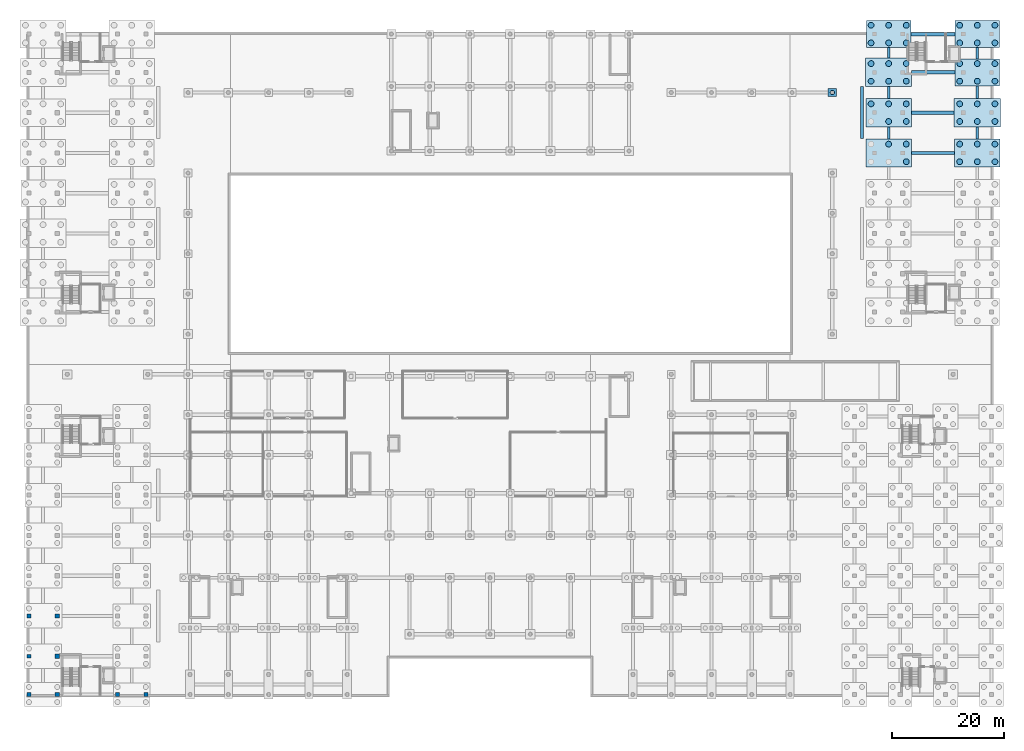
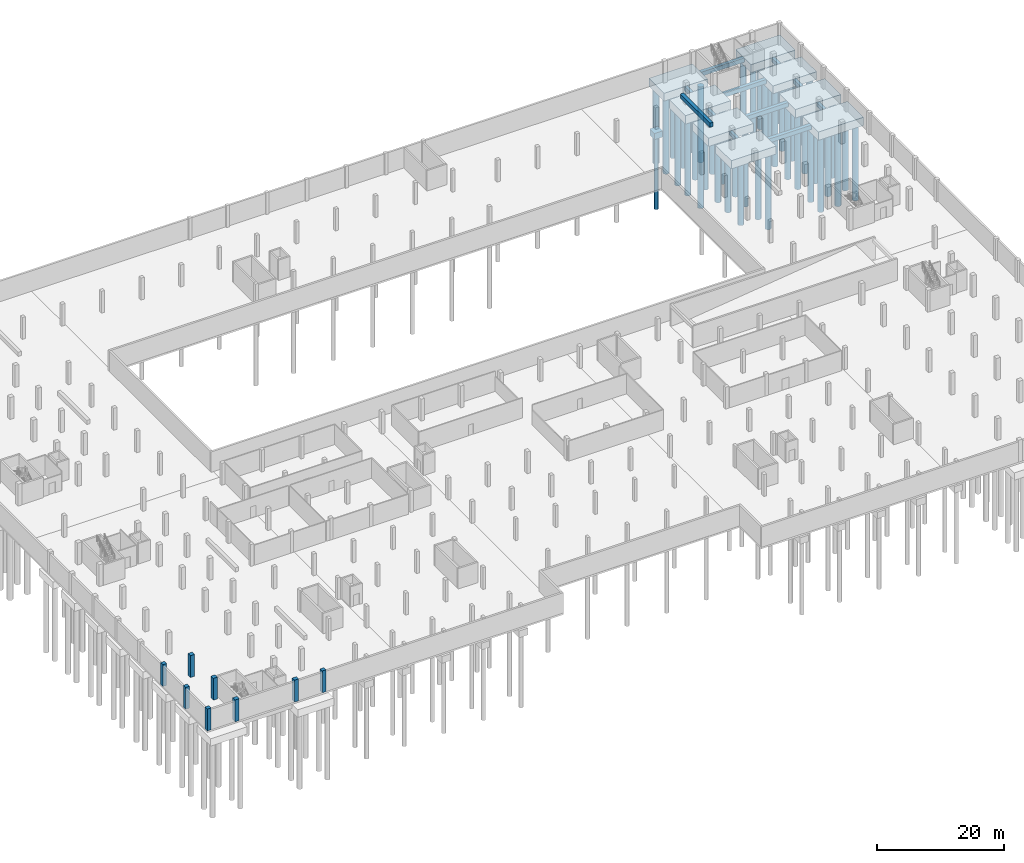
# One storey, part 13 of 36: 45 piles, 20 footings, 8 columns.
"""IFC4 building model written with IfcOpenShell, lengths in metres."""

from ifc_helpers import new_model, si_unit, derived_unit, direction, frame, origin, origin_2d, place, context, subcontext, project, spatial, polyline, rectangle, circle, outline, extrude, material, material_profile, profile_set, type_object, element, save


model = new_model("IFC4")

# Units and contexts
model_context = context("Model", 3, precision=1e-05, world=origin(), true_north=direction((0.0, 1.0)))
body_context = subcontext(model_context, "Body", "Model", "MODEL_VIEW")
ifc_project = project(units=[si_unit("LENGTHUNIT", "METRE"), si_unit("AREAUNIT", "SQUARE_METRE"), si_unit("VOLUMEUNIT", "CUBIC_METRE"), si_unit("PLANEANGLEUNIT", "RADIAN"), si_unit("MASSUNIT", "GRAM", prefix="KILO"), derived_unit("THERMALTRANSMITTANCEUNIT", [(si_unit("MASSUNIT", "GRAM", prefix="KILO"), 1), (si_unit("TIMEUNIT", "SECOND"), -3), (si_unit("THERMODYNAMICTEMPERATUREUNIT", "KELVIN"), -1)])], contexts=[model_context])

# Site, building, storey
site_placement = place(None, origin())
site = spatial("IfcSite", under=ifc_project, at=site_placement, CompositionType="ELEMENT")
building_placement = place(site_placement, origin())
building = spatial("IfcBuilding", under=site, at=building_placement, Name="Ochrekiln Boulevard Commons", CompositionType="ELEMENT")
storey_placement = place(building_placement, frame((0.0, 0.0, -4.199951171875)))
storey = spatial("IfcBuildingStorey", under=building, at=storey_placement, Name="B1", CompositionType="ELEMENT", Elevation=-4.199951171875)

# Footings
ifc_material_1 = material(Name="Concrete C35/45", Category="concrete")
footing_type_1 = type_object("IfcFootingType", Name="CAP-RC-1470x1470x1200", PredefinedType="PILE_CAP", material=ifc_material_1)
footing_1_placement = place(storey_placement, frame((144.0, 108.0, -1.5), z_axis=(0.0, 0.0, 1.0), x_axis=(1.0, 0.0, 0.0)))
element("IfcFooting", 1, at=footing_1_placement, inside=storey, type_object=footing_type_1, Name="Reinforced Concrete Pile Cap PC-29 (176)", PredefinedType="PILE_CAP", context=body_context, shape_type="SweptSolid", body=[
    extrude(rectangle(XDim=1.469970703125, YDim=1.469970703125, at=origin_2d()), origin(), (0.0, 0.0, 1.0), 1.199951171875),
])
footing_type_2 = type_object("IfcFootingType", Name="CAP-RC-7950x4800x1500", PredefinedType="PILE_CAP", material=ifc_material_1)
for number, where, z_axis, x_axis, name in (
    (2, (154.074951171875, 118.449951171875, -1.800048828125), (0.0, 0.0, 1.0), (1.0, 0.0, 0.0), "Reinforced Concrete Pile Cap PC-12 (192)"),
    (3, (169.925048828125, 111.60009765625, -1.800048828125), (0.0, 0.0, 1.0), (1.0, 0.0, 0.0), "Reinforced Concrete Pile Cap PC-12 (216)"),
):
    element("IfcFooting", number, at=place(storey_placement, frame(where, z_axis=z_axis, x_axis=x_axis)), inside=storey, type_object=footing_type_2, Name=name, PredefinedType="PILE_CAP", context=body_context, shape_type="SweptSolid", body=[
        extrude(rectangle(XDim=7.949951171875, YDim=4.800048828125, at=origin_2d()), origin(), (0.0, 0.0, 1.0), 1.5),
    ])
footing_type_3 = type_object("IfcFootingType", Name="CAP-RC-8010x4860x1550", PredefinedType="PILE_CAP", material=ifc_material_1)
footing_2_placement = place(storey_placement, frame((169.925048828125, 118.449951171875, -1.85009765625), z_axis=(0.0, 0.0, 1.0), x_axis=(1.0, 0.0, 0.0)))
element("IfcFooting", 4, at=footing_2_placement, inside=storey, type_object=footing_type_3, Name="Reinforced Concrete Pile Cap PC-13 (217)", PredefinedType="PILE_CAP", context=body_context, shape_type="SweptSolid", body=[
    extrude(rectangle(XDim=8.010009765625, YDim=4.860107421875, at=origin_2d()), origin(), (0.0, 0.0, 1.0), 1.550048828125),
])
footing_type_4 = type_object("IfcFootingType", Name="CAP-RC-8130x4980x1550", PredefinedType="PILE_CAP", material=ifc_material_1)
footing_3_placement = place(storey_placement, frame((154.074951171875, 97.199951171875, -1.85009765625), z_axis=(0.0, 0.0, 1.0), x_axis=(1.0, 0.0, 0.0)))
element("IfcFooting", 5, at=footing_3_placement, inside=storey, type_object=footing_type_4, Name="Reinforced Concrete Pile Cap PC-09 (189)", PredefinedType="PILE_CAP", context=body_context, shape_type="SweptSolid", body=[
    extrude(rectangle(XDim=8.1298828125, YDim=4.97998046875, at=origin_2d()), origin(), (0.0, 0.0, 1.0), 1.550048828125),
])
footing_type_5 = type_object("IfcFootingType", Name="CAP-RC-8190x5040x1600", PredefinedType="PILE_CAP", material=ifc_material_1)
for number, where, z_axis, x_axis, name in (
    (6, (154.074951171875, 104.39990234375, -1.900146484375), (0.0, 0.0, 1.0), (1.0, 0.0, 0.0), "Reinforced Concrete Pile Cap PC-10 (190)"),
    (7, (169.925048828125, 97.199951171875, -1.900146484375), (0.0, 0.0, 1.0), (1.0, 0.0, 0.0), "Reinforced Concrete Pile Cap PC-10 (214)"),
):
    element("IfcFooting", number, at=place(storey_placement, frame(where, z_axis=z_axis, x_axis=x_axis)), inside=storey, type_object=footing_type_5, Name=name, PredefinedType="PILE_CAP", context=body_context, shape_type="SweptSolid", body=[
        extrude(rectangle(XDim=8.18994140625, YDim=5.0400390625, at=origin_2d()), origin(), (0.0, 0.0, 1.0), 1.60009765625),
    ])
footing_type_6 = type_object("IfcFootingType", Name="CAP-RC-8250x5100x1650", PredefinedType="PILE_CAP", material=ifc_material_1)
for number, where, z_axis, x_axis, name in (
    (8, (154.074951171875, 111.60009765625, -1.949951171875), (0.0, 0.0, 1.0), (1.0, 0.0, 0.0), "Reinforced Concrete Pile Cap PC-11 (191)"),
    (9, (169.925048828125, 104.39990234375, -1.949951171875), (0.0, 0.0, 1.0), (1.0, 0.0, 0.0), "Reinforced Concrete Pile Cap PC-11 (215)"),
):
    element("IfcFooting", number, at=place(storey_placement, frame(where, z_axis=z_axis, x_axis=x_axis)), inside=storey, type_object=footing_type_6, Name=name, PredefinedType="PILE_CAP", context=body_context, shape_type="SweptSolid", body=[
        extrude(rectangle(XDim=8.25, YDim=5.10009765625, at=origin_2d()), origin(), (0.0, 0.0, 1.0), 1.64990234375),
    ])
footing_type_7 = type_object("IfcFootingType", Name="FTG-BEAM-500x700", PredefinedType="FOOTING_BEAM", material=ifc_material_1)
footing_4_placement = place(storey_placement, frame((0.0, 0.0, -1.0)))
element("IfcFooting", 10, at=footing_4_placement, inside=storey, type_object=footing_type_7, Name="Seismic Footing Tie Beam FB-5070 Y-297", PredefinedType="FOOTING_BEAM", context=body_context, shape_type="SweptSolid", body=[
    extrude(outline(polyline([(153.824951171875, 99.68994140625), (154.324951171875, 99.68994140625), (154.324951171875, 101.8798828125), (153.824951171875, 101.8798828125), (153.824951171875, 99.68994140625)])), origin(), (0.0, 0.0, 1.0), 0.699951171875),
])
footing_5_placement = place(storey_placement, frame((0.0, 0.0, -1.0)))
element("IfcFooting", 11, at=footing_5_placement, inside=storey, type_object=footing_type_7, Name="Seismic Footing Tie Beam FB-5070 Y-298", PredefinedType="FOOTING_BEAM", context=body_context, shape_type="SweptSolid", body=[
    extrude(outline(polyline([(153.824951171875, 106.919921875), (154.324951171875, 106.919921875), (154.324951171875, 109.050048828125), (153.824951171875, 109.050048828125), (153.824951171875, 106.919921875)])), origin(), (0.0, 0.0, 1.0), 0.699951171875),
])
footing_6_placement = place(storey_placement, frame((0.0, 0.0, -1.0)))
element("IfcFooting", 12, at=footing_6_placement, inside=storey, type_object=footing_type_7, Name="Seismic Footing Tie Beam FB-5070 Y-299", PredefinedType="FOOTING_BEAM", context=body_context, shape_type="SweptSolid", body=[
    extrude(outline(polyline([(153.824951171875, 114.14990234375), (154.324951171875, 114.14990234375), (154.324951171875, 116.050048828125), (153.824951171875, 116.050048828125), (153.824951171875, 114.14990234375)])), origin(), (0.0, 0.0, 1.0), 0.699951171875),
])
footing_7_placement = place(storey_placement, frame((0.0, 0.0, -1.0)))
element("IfcFooting", 13, at=footing_7_placement, inside=storey, type_object=footing_type_7, Name="Seismic Footing Tie Beam FB-5070 Y-318", PredefinedType="FOOTING_BEAM", context=body_context, shape_type="SweptSolid", body=[
    extrude(outline(polyline([(169.675048828125, 99.719970703125), (170.175048828125, 99.719970703125), (170.175048828125, 101.85009765625), (169.675048828125, 101.85009765625), (169.675048828125, 99.719970703125)])), origin(), (0.0, 0.0, 1.0), 0.699951171875),
])
footing_8_placement = place(storey_placement, frame((0.0, 0.0, -1.0)))
element("IfcFooting", 14, at=footing_8_placement, inside=storey, type_object=footing_type_7, Name="Seismic Footing Tie Beam FB-5070 Y-319", PredefinedType="FOOTING_BEAM", context=body_context, shape_type="SweptSolid", body=[
    extrude(outline(polyline([(169.675048828125, 106.949951171875), (170.175048828125, 106.949951171875), (170.175048828125, 109.199951171875), (169.675048828125, 109.199951171875), (169.675048828125, 106.949951171875)])), origin(), (0.0, 0.0, 1.0), 0.699951171875),
])
footing_9_placement = place(storey_placement, frame((0.0, 0.0, -1.0)))
element("IfcFooting", 15, at=footing_9_placement, inside=storey, type_object=footing_type_7, Name="Seismic Footing Tie Beam FB-5070 Y-320", PredefinedType="FOOTING_BEAM", context=body_context, shape_type="SweptSolid", body=[
    extrude(outline(polyline([(169.675048828125, 114.0), (170.175048828125, 114.0), (170.175048828125, 116.02001953125), (169.675048828125, 116.02001953125), (169.675048828125, 114.0)])), origin(), (0.0, 0.0, 1.0), 0.699951171875),
])
footing_type_8 = type_object("IfcFootingType", Name="FTG-BEAM-600x800", PredefinedType="FOOTING_BEAM", material=ifc_material_1)
footing_10_placement = place(storey_placement, frame((0.0, 0.0, -1.10009765625)))
element("IfcFooting", 16, at=footing_10_placement, inside=storey, type_object=footing_type_8, Name="Seismic Footing Tie Beam FB-6080 X-108", PredefinedType="FOOTING_BEAM", context=body_context, shape_type="SweptSolid", body=[
    extrude(outline(polyline([(158.139892578125, 96.89990234375), (165.830078125, 96.89990234375), (165.830078125, 97.5), (158.139892578125, 97.5), (158.139892578125, 96.89990234375)])), origin(), (0.0, 0.0, 1.0), 0.800048828125),
])
footing_11_placement = place(storey_placement, frame((0.0, 0.0, -1.10009765625)))
element("IfcFooting", 17, at=footing_11_placement, inside=storey, type_object=footing_type_8, Name="Seismic Footing Tie Beam FB-6080 X-110", PredefinedType="FOOTING_BEAM", context=body_context, shape_type="SweptSolid", body=[
    extrude(outline(polyline([(158.169921875, 104.10009765625), (165.800048828125, 104.10009765625), (165.800048828125, 104.699951171875), (158.169921875, 104.699951171875), (158.169921875, 104.10009765625)])), origin(), (0.0, 0.0, 1.0), 0.800048828125),
])
footing_12_placement = place(storey_placement, frame((0.0, 0.0, -1.10009765625)))
element("IfcFooting", 18, at=footing_12_placement, inside=storey, type_object=footing_type_8, Name="Seismic Footing Tie Beam FB-6080 X-112", PredefinedType="FOOTING_BEAM", context=body_context, shape_type="SweptSolid", body=[
    extrude(outline(polyline([(158.199951171875, 111.300048828125), (165.949951171875, 111.300048828125), (165.949951171875, 111.89990234375), (158.199951171875, 111.89990234375), (158.199951171875, 111.300048828125)])), origin(), (0.0, 0.0, 1.0), 0.800048828125),
])
footing_13_placement = place(storey_placement, frame((0.0, 0.0, -1.10009765625)))
element("IfcFooting", 19, at=footing_13_placement, inside=storey, type_object=footing_type_8, Name="Seismic Footing Tie Beam FB-6080 X-120", PredefinedType="FOOTING_BEAM", context=body_context, shape_type="SweptSolid", body=[
    extrude(outline(polyline([(158.050048828125, 118.14990234375), (165.919921875, 118.14990234375), (165.919921875, 118.75), (158.050048828125, 118.75), (158.050048828125, 118.14990234375)])), origin(), (0.0, 0.0, 1.0), 0.800048828125),
])
footing_type_9 = type_object("IfcFootingType", Name="FTG-PAD-600x800", PredefinedType="PAD_FOOTING", material=ifc_material_1)
footing_14_placement = place(storey_placement, frame((0.0, 0.0, 3.39990234375)))
element("IfcFooting", 20, at=footing_14_placement, inside=storey, type_object=footing_type_9, Name="Reinforced Concrete Balcony Plinth Pad Footing FP-6080 Block B 2", PredefinedType="PAD_FOOTING", context=body_context, shape_type="SweptSolid", body=[
    extrude(outline(polyline([(149.02001953125, 99.75), (149.6201171875, 99.75), (149.6201171875, 109.050048828125), (149.02001953125, 109.050048828125), (149.02001953125, 99.75)])), origin(), (0.0, 0.0, 1.0), 0.800048828125),
])

# Piles
ifc_material_profile_1 = material_profile(ifc_material_1, circle(Radius=0.52490234375, at=origin_2d()), Name="PILE-D1050")
ifc_profile_set_1 = profile_set([ifc_material_profile_1], Name="Concrete C35/45")
pile_type_1 = type_object("IfcPileType", Name="PILE-BORED-1050", PredefinedType="BORED", material=ifc_profile_set_1)
for number, where, z_axis, x_axis, name in (
    (21, (154.074951171875, 98.77490234375, -1.75), (0.0, 0.0, -1.0), (1.0, 0.0, 0.0), "Caliche-Socketed Bored Pile BP-1050 (189.4)"),
    (22, (157.22509765625, 95.625, -1.75), (0.0, 0.0, -1.0), (1.0, 0.0, 0.0), "Caliche-Socketed Bored Pile BP-1050 (189.5)"),
    (23, (157.22509765625, 98.77490234375, -1.75), (0.0, 0.0, -1.0), (1.0, 0.0, 0.0), "Caliche-Socketed Bored Pile BP-1050 (189.6)"),
):
    element("IfcPile", number, at=place(storey_placement, frame(where, z_axis=z_axis, x_axis=x_axis)), inside=storey, type_object=pile_type_1, Name=name, PredefinedType="BORED", context=body_context, shape_type="SweptSolid", body=[
        extrude(circle(Radius=0.52490234375, at=origin_2d()), origin(), (0.0, 0.0, 1.0), 14.550048828125),
    ])
for number, where, z_axis, x_axis, name in (
    (24, (150.925048828125, 105.97509765625, -1.800048828125), (0.0, 0.0, -1.0), (1.0, 0.0, 0.0), "Caliche-Socketed Bored Pile BP-1050 (190.2)"),
    (25, (154.074951171875, 102.824951171875, -1.800048828125), (0.0, 0.0, -1.0), (1.0, 0.0, 0.0), "Caliche-Socketed Bored Pile BP-1050 (190.3)"),
    (26, (154.074951171875, 105.97509765625, -1.800048828125), (0.0, 0.0, -1.0), (1.0, 0.0, 0.0), "Caliche-Socketed Bored Pile BP-1050 (190.4)"),
    (27, (157.22509765625, 102.824951171875, -1.800048828125), (0.0, 0.0, -1.0), (1.0, 0.0, 0.0), "Caliche-Socketed Bored Pile BP-1050 (190.5)"),
    (28, (157.22509765625, 105.97509765625, -1.800048828125), (0.0, 0.0, -1.0), (1.0, 0.0, 0.0), "Caliche-Socketed Bored Pile BP-1050 (190.6)"),
):
    element("IfcPile", number, at=place(storey_placement, frame(where, z_axis=z_axis, x_axis=x_axis)), inside=storey, type_object=pile_type_1, Name=name, PredefinedType="BORED", context=body_context, shape_type="SweptSolid", body=[
        extrude(circle(Radius=0.52490234375, at=origin_2d()), origin(), (0.0, 0.0, 1.0), 14.5),
    ])
for number, where, z_axis, x_axis, name in (
    (29, (150.925048828125, 110.02490234375, -1.85009765625), (0.0, 0.0, -1.0), (1.0, 0.0, 0.0), "Caliche-Socketed Bored Pile BP-1050 (191.1)"),
    (30, (150.925048828125, 113.175048828125, -1.85009765625), (0.0, 0.0, -1.0), (1.0, 0.0, 0.0), "Caliche-Socketed Bored Pile BP-1050 (191.2)"),
    (31, (154.074951171875, 110.02490234375, -1.85009765625), (0.0, 0.0, -1.0), (1.0, 0.0, 0.0), "Caliche-Socketed Bored Pile BP-1050 (191.3)"),
    (32, (154.074951171875, 113.175048828125, -1.85009765625), (0.0, 0.0, -1.0), (1.0, 0.0, 0.0), "Caliche-Socketed Bored Pile BP-1050 (191.4)"),
    (33, (157.22509765625, 110.02490234375, -1.85009765625), (0.0, 0.0, -1.0), (1.0, 0.0, 0.0), "Caliche-Socketed Bored Pile BP-1050 (191.5)"),
    (34, (157.22509765625, 113.175048828125, -1.85009765625), (0.0, 0.0, -1.0), (1.0, 0.0, 0.0), "Caliche-Socketed Bored Pile BP-1050 (191.6)"),
):
    element("IfcPile", number, at=place(storey_placement, frame(where, z_axis=z_axis, x_axis=x_axis)), inside=storey, type_object=pile_type_1, Name=name, PredefinedType="BORED", context=body_context, shape_type="SweptSolid", body=[
        extrude(circle(Radius=0.52490234375, at=origin_2d()), origin(), (0.0, 0.0, 1.0), 14.449951171875),
    ])
for number, where, z_axis, x_axis, name in (
    (35, (150.925048828125, 116.875, -1.699951171875), (0.0, 0.0, -1.0), (1.0, 0.0, 0.0), "Caliche-Socketed Bored Pile BP-1050 (192.1)"),
    (36, (150.925048828125, 120.02490234375, -1.699951171875), (0.0, 0.0, -1.0), (1.0, 0.0, 0.0), "Caliche-Socketed Bored Pile BP-1050 (192.2)"),
    (37, (154.074951171875, 116.875, -1.699951171875), (0.0, 0.0, -1.0), (1.0, 0.0, 0.0), "Caliche-Socketed Bored Pile BP-1050 (192.3)"),
    (38, (154.074951171875, 120.02490234375, -1.699951171875), (0.0, 0.0, -1.0), (1.0, 0.0, 0.0), "Caliche-Socketed Bored Pile BP-1050 (192.4)"),
    (39, (157.22509765625, 116.875, -1.699951171875), (0.0, 0.0, -1.0), (1.0, 0.0, 0.0), "Caliche-Socketed Bored Pile BP-1050 (192.5)"),
    (40, (157.22509765625, 120.02490234375, -1.699951171875), (0.0, 0.0, -1.0), (1.0, 0.0, 0.0), "Caliche-Socketed Bored Pile BP-1050 (192.6)"),
):
    element("IfcPile", number, at=place(storey_placement, frame(where, z_axis=z_axis, x_axis=x_axis)), inside=storey, type_object=pile_type_1, Name=name, PredefinedType="BORED", context=body_context, shape_type="SweptSolid", body=[
        extrude(circle(Radius=0.52490234375, at=origin_2d()), origin(), (0.0, 0.0, 1.0), 14.60009765625),
    ])
for number, where, z_axis, x_axis, name in (
    (41, (166.77490234375, 95.625, -1.800048828125), (0.0, 0.0, -1.0), (1.0, 0.0, 0.0), "Caliche-Socketed Bored Pile BP-1050 (214.1)"),
    (42, (166.77490234375, 98.77490234375, -1.800048828125), (0.0, 0.0, -1.0), (1.0, 0.0, 0.0), "Caliche-Socketed Bored Pile BP-1050 (214.2)"),
    (43, (169.925048828125, 95.625, -1.800048828125), (0.0, 0.0, -1.0), (1.0, 0.0, 0.0), "Caliche-Socketed Bored Pile BP-1050 (214.3)"),
    (44, (169.925048828125, 98.77490234375, -1.800048828125), (0.0, 0.0, -1.0), (1.0, 0.0, 0.0), "Caliche-Socketed Bored Pile BP-1050 (214.4)"),
    (45, (173.074951171875, 95.625, -1.800048828125), (0.0, 0.0, -1.0), (1.0, 0.0, 0.0), "Caliche-Socketed Bored Pile BP-1050 (214.5)"),
    (46, (173.074951171875, 98.77490234375, -1.800048828125), (0.0, 0.0, -1.0), (1.0, 0.0, 0.0), "Caliche-Socketed Bored Pile BP-1050 (214.6)"),
):
    element("IfcPile", number, at=place(storey_placement, frame(where, z_axis=z_axis, x_axis=x_axis)), inside=storey, type_object=pile_type_1, Name=name, PredefinedType="BORED", context=body_context, shape_type="SweptSolid", body=[
        extrude(circle(Radius=0.52490234375, at=origin_2d()), origin(), (0.0, 0.0, 1.0), 14.5),
    ])
for number, where, z_axis, x_axis, name in (
    (47, (166.77490234375, 102.824951171875, -1.85009765625), (0.0, 0.0, -1.0), (1.0, 0.0, 0.0), "Caliche-Socketed Bored Pile BP-1050 (215.1)"),
    (48, (166.77490234375, 105.97509765625, -1.85009765625), (0.0, 0.0, -1.0), (1.0, 0.0, 0.0), "Caliche-Socketed Bored Pile BP-1050 (215.2)"),
    (49, (169.925048828125, 102.824951171875, -1.85009765625), (0.0, 0.0, -1.0), (1.0, 0.0, 0.0), "Caliche-Socketed Bored Pile BP-1050 (215.3)"),
    (50, (169.925048828125, 105.97509765625, -1.85009765625), (0.0, 0.0, -1.0), (1.0, 0.0, 0.0), "Caliche-Socketed Bored Pile BP-1050 (215.4)"),
    (51, (173.074951171875, 102.824951171875, -1.85009765625), (0.0, 0.0, -1.0), (1.0, 0.0, 0.0), "Caliche-Socketed Bored Pile BP-1050 (215.5)"),
    (52, (173.074951171875, 105.97509765625, -1.85009765625), (0.0, 0.0, -1.0), (1.0, 0.0, 0.0), "Caliche-Socketed Bored Pile BP-1050 (215.6)"),
):
    element("IfcPile", number, at=place(storey_placement, frame(where, z_axis=z_axis, x_axis=x_axis)), inside=storey, type_object=pile_type_1, Name=name, PredefinedType="BORED", context=body_context, shape_type="SweptSolid", body=[
        extrude(circle(Radius=0.52490234375, at=origin_2d()), origin(), (0.0, 0.0, 1.0), 14.449951171875),
    ])
for number, where, z_axis, x_axis, name in (
    (53, (166.77490234375, 110.02490234375, -1.699951171875), (0.0, 0.0, -1.0), (1.0, 0.0, 0.0), "Caliche-Socketed Bored Pile BP-1050 (216.1)"),
    (54, (166.77490234375, 113.175048828125, -1.699951171875), (0.0, 0.0, -1.0), (1.0, 0.0, 0.0), "Caliche-Socketed Bored Pile BP-1050 (216.2)"),
    (55, (169.925048828125, 110.02490234375, -1.699951171875), (0.0, 0.0, -1.0), (1.0, 0.0, 0.0), "Caliche-Socketed Bored Pile BP-1050 (216.3)"),
    (56, (169.925048828125, 113.175048828125, -1.699951171875), (0.0, 0.0, -1.0), (1.0, 0.0, 0.0), "Caliche-Socketed Bored Pile BP-1050 (216.4)"),
    (57, (173.074951171875, 110.02490234375, -1.699951171875), (0.0, 0.0, -1.0), (1.0, 0.0, 0.0), "Caliche-Socketed Bored Pile BP-1050 (216.5)"),
    (58, (173.074951171875, 113.175048828125, -1.699951171875), (0.0, 0.0, -1.0), (1.0, 0.0, 0.0), "Caliche-Socketed Bored Pile BP-1050 (216.6)"),
):
    element("IfcPile", number, at=place(storey_placement, frame(where, z_axis=z_axis, x_axis=x_axis)), inside=storey, type_object=pile_type_1, Name=name, PredefinedType="BORED", context=body_context, shape_type="SweptSolid", body=[
        extrude(circle(Radius=0.52490234375, at=origin_2d()), origin(), (0.0, 0.0, 1.0), 14.60009765625),
    ])
for number, where, z_axis, x_axis, name in (
    (59, (166.77490234375, 116.875, -1.75), (0.0, 0.0, -1.0), (1.0, 0.0, 0.0), "Caliche-Socketed Bored Pile BP-1050 (217.1)"),
    (60, (166.77490234375, 120.02490234375, -1.75), (0.0, 0.0, -1.0), (1.0, 0.0, 0.0), "Caliche-Socketed Bored Pile BP-1050 (217.2)"),
    (61, (169.925048828125, 116.875, -1.75), (0.0, 0.0, -1.0), (1.0, 0.0, 0.0), "Caliche-Socketed Bored Pile BP-1050 (217.3)"),
    (62, (169.925048828125, 120.02490234375, -1.75), (0.0, 0.0, -1.0), (1.0, 0.0, 0.0), "Caliche-Socketed Bored Pile BP-1050 (217.4)"),
    (63, (173.074951171875, 116.875, -1.75), (0.0, 0.0, -1.0), (1.0, 0.0, 0.0), "Caliche-Socketed Bored Pile BP-1050 (217.5)"),
    (64, (173.074951171875, 120.02490234375, -1.75), (0.0, 0.0, -1.0), (1.0, 0.0, 0.0), "Caliche-Socketed Bored Pile BP-1050 (217.6)"),
):
    element("IfcPile", number, at=place(storey_placement, frame(where, z_axis=z_axis, x_axis=x_axis)), inside=storey, type_object=pile_type_1, Name=name, PredefinedType="BORED", context=body_context, shape_type="SweptSolid", body=[
        extrude(circle(Radius=0.52490234375, at=origin_2d()), origin(), (0.0, 0.0, 1.0), 14.550048828125),
    ])
ifc_material_profile_2 = material_profile(ifc_material_1, circle(Radius=0.375, at=origin_2d()), Name="PILE-D750")
ifc_profile_set_2 = profile_set([ifc_material_profile_2], Name="Concrete C35/45")
pile_type_2 = type_object("IfcPileType", Name="PILE-BORED-750", PredefinedType="BORED", material=ifc_profile_set_2)
pile_placement = place(storey_placement, frame((144.0, 108.0, -1.400146484375), z_axis=(0.0, 0.0, -1.0), x_axis=(1.0, 0.0, 0.0)))
element("IfcPile", 65, at=pile_placement, inside=storey, type_object=pile_type_2, Name="Caliche-Socketed Bored Pile BP-750 (176.1)", PredefinedType="BORED", context=body_context, shape_type="SweptSolid", body=[
    extrude(circle(Radius=0.375, at=origin_2d()), origin(), (0.0, 0.0, 1.0), 14.0),
])

# Columns
ifc_material_2 = material(Name="Concrete C40/50", Category="concrete")
ifc_material_profile_3 = material_profile(ifc_material_2, rectangle(XDim=0.699951171875, YDim=0.699951171875, at=origin_2d()), Name="RC-COL-700x700")
ifc_profile_set_3 = profile_set([ifc_material_profile_3], Name="Concrete C40/50")
column_type_1 = type_object("IfcColumnType", Name="COL-RC-700", PredefinedType="COLUMN", material=ifc_profile_set_3)
for number, where, z_axis, x_axis, name in (
    (66, (0.35009765625, 0.35009765625, 0.0), (0.0, 0.0, 1.0), (1.0, 0.0, 0.0), "Block D B1 Column C-700 (1)"),
    (67, (0.35009765625, 7.199951171875, 0.0), (0.0, 0.0, 1.0), (1.0, 0.0, 0.0), "Block D B1 Column C-700 (2)"),
    (68, (0.35009765625, 14.39990234375, 0.0), (0.0, 0.0, 1.0), (1.0, 0.0, 0.0), "Block D B1 Column C-700 (3)"),
    (69, (21.25, 0.35009765625, 0.0), (0.0, 0.0, 1.0), (1.0, 0.0, 0.0), "Block D B1 Column C-700 (25)"),
):
    element("IfcColumn", number, at=place(storey_placement, frame(where, z_axis=z_axis, x_axis=x_axis)), inside=storey, type_object=column_type_1, Name=name, PredefinedType="COLUMN", context=body_context, shape_type="SweptSolid", body=[
        extrude(rectangle(XDim=0.699951171875, YDim=0.699951171875, at=origin_2d()), origin(), (0.0, 0.0, 1.0), 4.199951171875),
    ])
ifc_material_profile_4 = material_profile(ifc_material_2, rectangle(XDim=0.75, YDim=0.75, at=origin_2d()), Name="RC-COL-750x750")
ifc_profile_set_4 = profile_set([ifc_material_profile_4], Name="Concrete C40/50")
column_type_2 = type_object("IfcColumnType", Name="COL-RC-750", PredefinedType="COLUMN", material=ifc_profile_set_4)
for number, where, z_axis, x_axis, name in (
    (70, (5.39990234375, 0.35009765625, 0.0), (0.0, 0.0, 1.0), (1.0, 0.0, 0.0), "Block D B1 Column C-750 (9)"),
    (71, (5.39990234375, 7.199951171875, 0.0), (0.0, 0.0, 1.0), (1.0, 0.0, 0.0), "Block D B1 Column C-750 (10)"),
    (72, (5.39990234375, 14.39990234375, 0.0), (0.0, 0.0, 1.0), (1.0, 0.0, 0.0), "Block D B1 Column C-750 (11)"),
    (73, (16.199951171875, 0.35009765625, 0.0), (0.0, 0.0, 1.0), (1.0, 0.0, 0.0), "Block D B1 Column C-750 (17)"),
):
    element("IfcColumn", number, at=place(storey_placement, frame(where, z_axis=z_axis, x_axis=x_axis)), inside=storey, type_object=column_type_2, Name=name, PredefinedType="COLUMN", context=body_context, shape_type="SweptSolid", body=[
        extrude(rectangle(XDim=0.75, YDim=0.75, at=origin_2d()), origin(), (0.0, 0.0, 1.0), 4.199951171875),
    ])

save(model, "model.ifc")
